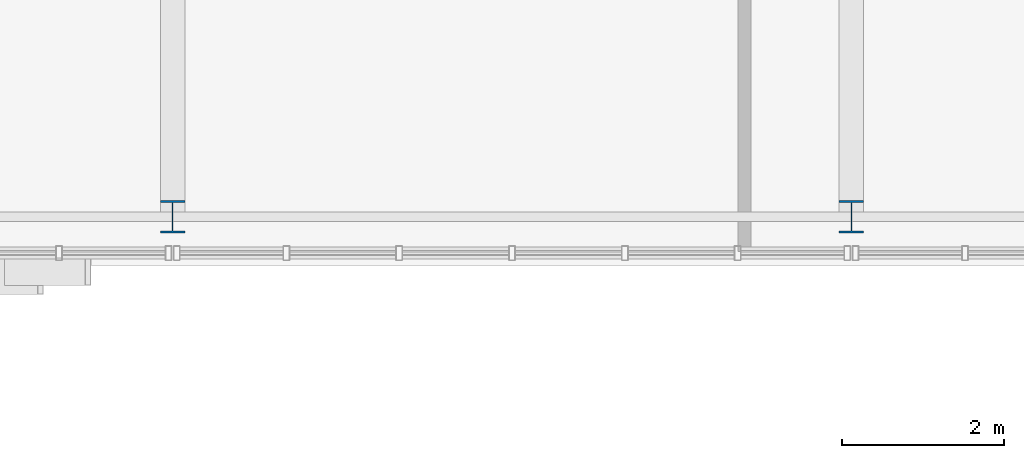
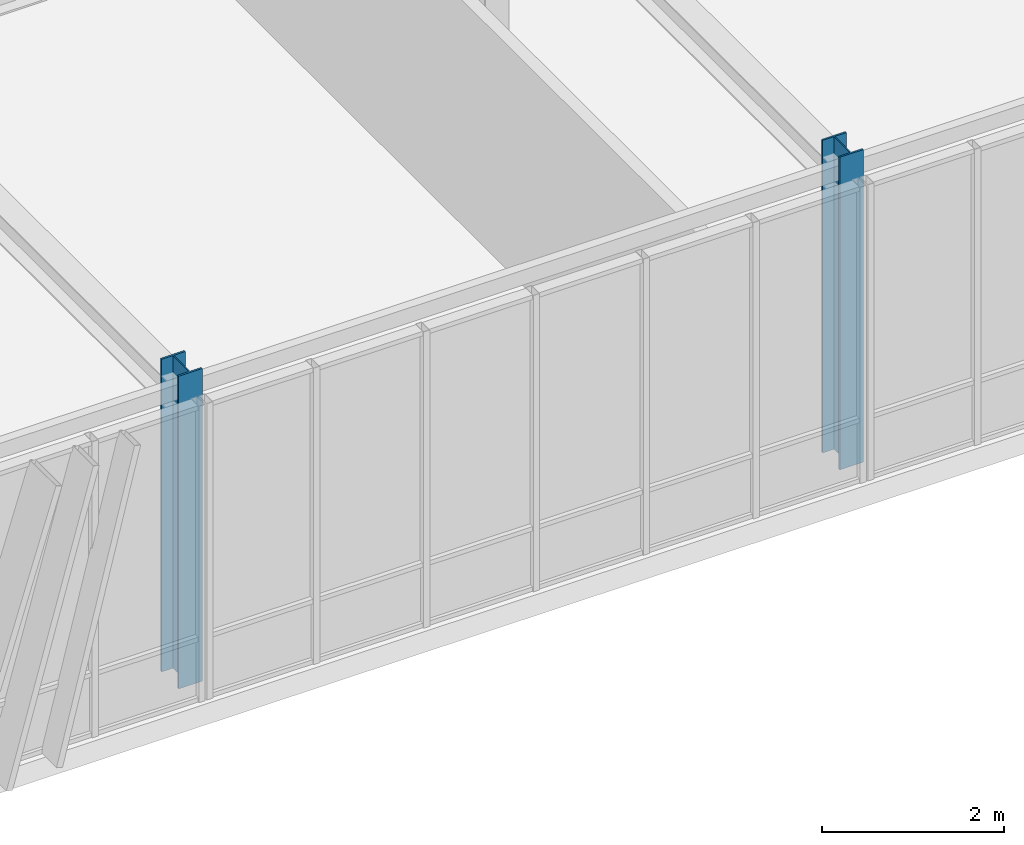
# One storey, part 3 of 123: 2 columns.
"""IFC4 building model written with IfcOpenShell, lengths in metres."""

from ifc_helpers import new_model, si_unit, direction, frame, origin, origin_2d, place, context, subcontext, project, spatial, i_section, extrude, material, material_profile, profile_set, type_object, element, save


model = new_model("IFC4")

# Units and contexts
model_context = context("Model", 3, precision=1e-05, world=origin(), true_north=direction((0.0, 1.0)))
body_context = subcontext(model_context, "Body", "Model", "MODEL_VIEW")
ifc_project = project(units=[si_unit("LENGTHUNIT", "METRE"), si_unit("AREAUNIT", "SQUARE_METRE"), si_unit("VOLUMEUNIT", "CUBIC_METRE"), si_unit("PLANEANGLEUNIT", "RADIAN"), si_unit("MASSUNIT", "GRAM", prefix="KILO")], contexts=[model_context])

# Site, building, storey
site_placement = place(None, origin())
site = spatial("IfcSite", under=ifc_project, at=site_placement, CompositionType="ELEMENT")
building_placement = place(site_placement, origin())
building = spatial("IfcBuilding", under=site, at=building_placement, Name="Zayran Congress Hotel", CompositionType="ELEMENT")
storey_placement = place(building_placement, frame((0.0, 0.0, 15.0)))
storey = spatial("IfcBuildingStorey", under=building, at=storey_placement, Name="L03", CompositionType="ELEMENT", Elevation=15.0)

# Columns
ifc_material = material(Name="Steel S355", Category="steel")
ifc_material_profile = material_profile(ifc_material, i_section(OverallWidth=0.300048828125, OverallDepth=0.39990234375, WebThickness=0.013427734375, FlangeThickness=0.02392578125, at=origin_2d()), Name="HEB 400")
ifc_profile_set = profile_set([ifc_material_profile], Name="Steel S355")
column_type = type_object("IfcColumnType", Name="TP-CL-07", PredefinedType="COLUMN", material=ifc_profile_set)
for number, where, z_axis, x_axis, name in (
    (1, (58.800048828125, 68.199951171875, 0.0), (0.0, 0.0, 1.0), (1.0, 0.0, 0.0), "COL-V1-L03-0490"),
    (2, (67.199951171875, 68.199951171875, 0.0), (0.0, 0.0, 1.0), (1.0, 0.0, 0.0), "COL-V1-L03-0495"),
):
    element("IfcColumn", number, at=place(storey_placement, frame(where, z_axis=z_axis, x_axis=x_axis)), inside=storey, type_object=column_type, Name=name, PredefinedType="COLUMN", context=body_context, shape_type="SweptSolid", body=[
        extrude(i_section(OverallWidth=0.300048828125, OverallDepth=0.39990234375, WebThickness=0.013427734375, FlangeThickness=0.02392578125, at=origin_2d()), origin(), (0.0, 0.0, 1.0), 4.199951171875),
    ])

save(model, "model.ifc")
